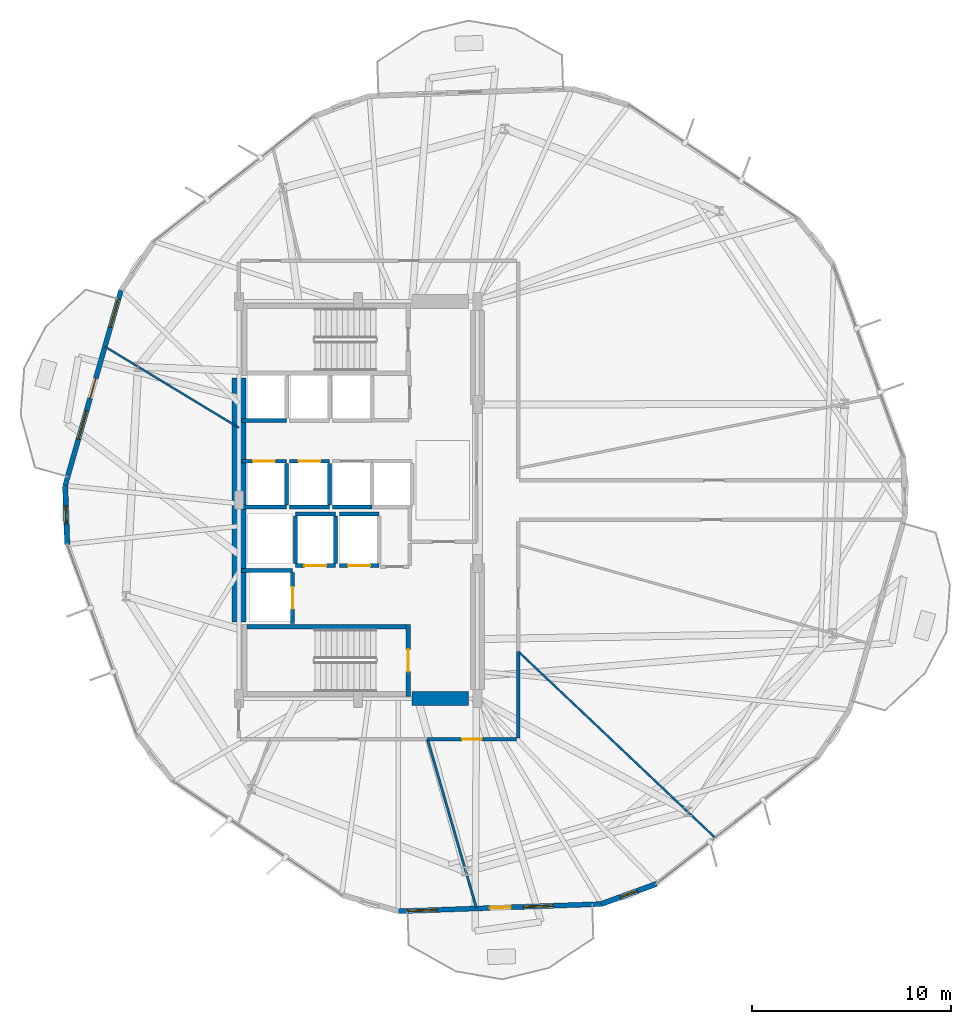
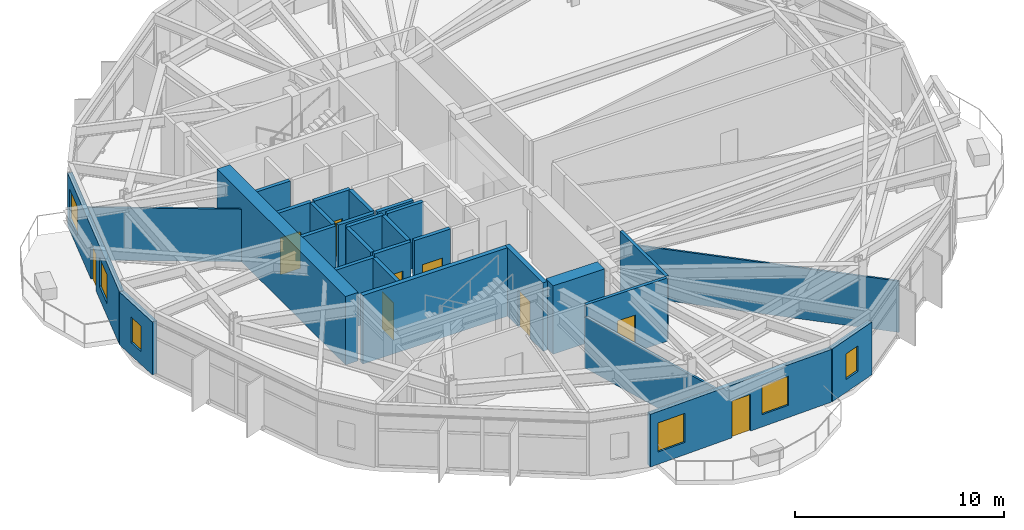
# One storey, part 16 of 21: 29 walls, 9 doors, 6 windows, 15 openings.
"""IFC4 building model written with IfcOpenShell, lengths in metres."""

from ifc_helpers import new_model, si_unit, direction, frame, frame_2d, origin, place, context, subcontext, project, spatial, rectangle, extrude, material, layer, layer_set, type_object, element, fill, save


model = new_model("IFC4")

# Units and contexts
model_context = context("Model", 3, precision=1e-05, world=origin(), true_north=direction((0.0, 1.0)))
body_context = subcontext(model_context, "Body", "Model", "MODEL_VIEW")
ifc_project = project(units=[si_unit("LENGTHUNIT", "METRE"), si_unit("AREAUNIT", "SQUARE_METRE"), si_unit("VOLUMEUNIT", "CUBIC_METRE"), si_unit("PLANEANGLEUNIT", "RADIAN"), si_unit("MASSUNIT", "GRAM", prefix="KILO")], contexts=[model_context])

# Site, building, storey
site_placement = place(None, origin())
site = spatial("IfcSite", under=ifc_project, at=site_placement, CompositionType="ELEMENT")
building_placement = place(site_placement, origin())
building = spatial("IfcBuilding", under=site, at=building_placement, Name="Soratama Intermodal Tower", CompositionType="ELEMENT")
storey_placement = place(building_placement, frame((0.0, 0.0, 34.60009765625)))
storey = spatial("IfcBuildingStorey", under=building, at=storey_placement, Name="L07", CompositionType="ELEMENT", Elevation=34.60009765625)

# Wall, openings, door, windows
ifc_material_1 = material(Name="Concrete f'c 42 MPa", Category="concrete")
ifc_layer_1 = layer(ifc_material_1, 0.25)
ifc_layer_set_1 = layer_set([ifc_layer_1], Name="Concrete f'c 42 MPa")
wall_type_1 = type_object("IfcWallType", Name="EW-BAL-250", PredefinedType="SOLIDWALL", material=ifc_layer_set_1)
wall_1_placement = place(storey_placement, frame((26.665283203125, 35.56005859375, 0.0), z_axis=(0.0, 0.0, 1.0), x_axis=(-0.274967139431, -0.961453624588, 0.0)))
wall_1 = element("IfcWall", 1, at=wall_1_placement, inside=storey, type_object=wall_type_1, Name="L07 Terrace Wall F05", PredefinedType="SOLIDWALL", context=body_context, shape_type="SweptSolid", body=[
    extrude(rectangle(XDim=10.22314453125, YDim=0.25, at=frame_2d((5.111572265625, 0.0))), origin(), (0.0, 0.0, 1.0), 3.078857421875),
])
opening_1_placement = place(wall_1_placement, frame((4.611572265625, 0.0, 0.0)))
opening_1 = element("IfcOpeningElement", 2, at=opening_1_placement, cuts=wall_1, Name="Opening ED-5", PredefinedType="OPENING", context=body_context, shape_type="SweptSolid", body=[
    extrude(rectangle(XDim=1.050048828125, YDim=2.14990234375, at=frame_2d((0.52490234375, 1.074951171875))), frame((0.0, 0.135009765625, 0.0), z_axis=(0.0, -1.0, 0.0), x_axis=(1.0, 0.0, 0.0)), (0.0, 0.0, 1.0), 0.27001953125),
])
opening_2_placement = place(wall_1_placement, frame((0.43994140625, 0.0, 0.719970703125)))
opening_2 = element("IfcOpeningElement", 3, at=opening_2_placement, cuts=wall_1, Name="Opening WN-1", PredefinedType="OPENING", context=body_context, shape_type="SweptSolid", body=[
    extrude(rectangle(XDim=1.5, YDim=1.699951171875, at=frame_2d((0.75, 0.85009765625))), frame((0.0, 0.135009765625, 0.0), z_axis=(0.0, -1.0, 0.0), x_axis=(1.0, 0.0, 0.0)), (0.0, 0.0, 1.0), 0.27001953125),
])
opening_3_placement = place(wall_1_placement, frame((6.301513671875, 0.0, 0.719970703125)))
opening_3 = element("IfcOpeningElement", 4, at=opening_3_placement, cuts=wall_1, Name="Opening WN-1", PredefinedType="OPENING", context=body_context, shape_type="SweptSolid", body=[
    extrude(rectangle(XDim=1.5, YDim=1.699951171875, at=frame_2d((0.75, 0.85009765625))), frame((0.0, 0.135009765625, 0.0), z_axis=(0.0, -1.0, 0.0), x_axis=(1.0, 0.0, 0.0)), (0.0, 0.0, 1.0), 0.27001953125),
])
ifc_material_2 = material(Name="Double-glazed aluminium door", Category="aluminium")
door_type_1 = type_object("IfcDoorType", Name="DR-BAL-1050", OperationType="NOTDEFINED", PredefinedType="DOOR", material=ifc_material_2)
door_1_placement = place(opening_1_placement, origin())
door_1 = element("IfcDoor", 5, at=door_1_placement, inside=storey, type_object=door_type_1, Name="L07 Balcony Door F05", OperationType="SINGLE_SWING_LEFT", OverallHeight=2.14990234375, OverallWidth=1.050048828125, PredefinedType="DOOR", context=body_context, shape_type="SweptSolid", body=[
    extrude(rectangle(XDim=1.050048828125, YDim=2.14990234375, at=frame_2d((0.52490234375, 1.074951171875))), frame((0.0, 0.02490234375, 0.0), z_axis=(0.0, -1.0, 0.0), x_axis=(1.0, 0.0, 0.0)), (0.0, 0.0, 1.0), 0.050048828125),
])
fill(opening_1, door_1)
ifc_material_3 = material(Name="Double-glazed aluminium window", Category="aluminium")
window_type_1 = type_object("IfcWindowType", Name="WN-FAC-1500", PartitioningType="SINGLE_PANEL", PredefinedType="WINDOW", material=ifc_material_3)
window_1_placement = place(opening_2_placement, origin())
window_1 = element("IfcWindow", 6, at=window_1_placement, inside=storey, type_object=window_type_1, Name="L07 Window A F05", OverallHeight=1.699951171875, OverallWidth=1.5, PartitioningType="SINGLE_PANEL", PredefinedType="WINDOW", context=body_context, shape_type="SweptSolid", body=[
    extrude(rectangle(XDim=1.5, YDim=1.699951171875, at=frame_2d((0.75, 0.85009765625))), frame((0.0, 0.030029296875, 0.0), z_axis=(0.0, -1.0, 0.0), x_axis=(1.0, 0.0, 0.0)), (0.0, 0.0, 1.0), 0.06005859375),
])
fill(opening_2, window_1)
window_2_placement = place(opening_3_placement, origin())
window_2 = element("IfcWindow", 7, at=window_2_placement, inside=storey, type_object=window_type_1, Name="L07 Window B F05", OverallHeight=1.699951171875, OverallWidth=1.5, PartitioningType="SINGLE_PANEL", PredefinedType="WINDOW", context=body_context, shape_type="SweptSolid", body=[
    extrude(rectangle(XDim=1.5, YDim=1.699951171875, at=frame_2d((0.75, 0.85009765625))), frame((0.0, 0.030029296875, 0.0), z_axis=(0.0, -1.0, 0.0), x_axis=(1.0, 0.0, 0.0)), (0.0, 0.0, 1.0), 0.06005859375),
])
fill(opening_3, window_2)

wall_2_placement = place(storey_placement, frame((40.62255859375, 4.299560546875, 0.0), z_axis=(0.0, 0.0, 1.0), x_axis=(0.999366712114, 0.035583348891, 0.0)))
wall_2 = element("IfcWall", 8, at=wall_2_placement, inside=storey, type_object=wall_type_1, Name="L07 Terrace Wall F08", PredefinedType="SOLIDWALL", context=body_context, shape_type="SweptSolid", body=[
    extrude(rectangle(XDim=10.22314453125, YDim=0.25, at=frame_2d((5.111572265625, 0.0))), origin(), (0.0, 0.0, 1.0), 3.078857421875),
])
opening_4_placement = place(wall_2_placement, frame((4.611572265625, 0.0, 0.0)))
opening_4 = element("IfcOpeningElement", 9, at=opening_4_placement, cuts=wall_2, Name="Opening ED-5", PredefinedType="OPENING", context=body_context, shape_type="SweptSolid", body=[
    extrude(rectangle(XDim=1.050048828125, YDim=2.14990234375, at=frame_2d((0.52490234375, 1.074951171875))), frame((0.0, 0.135009765625, 0.0), z_axis=(0.0, -1.0, 0.0), x_axis=(1.0, 0.0, 0.0)), (0.0, 0.0, 1.0), 0.27001953125),
])
opening_5_placement = place(wall_2_placement, frame((0.43994140625, 0.0, 0.719970703125)))
opening_5 = element("IfcOpeningElement", 10, at=opening_5_placement, cuts=wall_2, Name="Opening WN-1", PredefinedType="OPENING", context=body_context, shape_type="SweptSolid", body=[
    extrude(rectangle(XDim=1.5, YDim=1.699951171875, at=frame_2d((0.75, 0.85009765625))), frame((0.0, 0.135009765625, 0.0), z_axis=(0.0, -1.0, 0.0), x_axis=(1.0, 0.0, 0.0)), (0.0, 0.0, 1.0), 0.27001953125),
])
opening_6_placement = place(wall_2_placement, frame((6.301513671875, 0.0, 0.719970703125)))
opening_6 = element("IfcOpeningElement", 11, at=opening_6_placement, cuts=wall_2, Name="Opening WN-1", PredefinedType="OPENING", context=body_context, shape_type="SweptSolid", body=[
    extrude(rectangle(XDim=1.5, YDim=1.699951171875, at=frame_2d((0.75, 0.85009765625))), frame((0.0, 0.135009765625, 0.0), z_axis=(0.0, -1.0, 0.0), x_axis=(1.0, 0.0, 0.0)), (0.0, 0.0, 1.0), 0.27001953125),
])
door_2_placement = place(opening_4_placement, origin())
door_2 = element("IfcDoor", 12, at=door_2_placement, inside=storey, type_object=door_type_1, Name="L07 Balcony Door F08", OperationType="SINGLE_SWING_RIGHT", OverallHeight=2.14990234375, OverallWidth=1.050048828125, PredefinedType="DOOR", context=body_context, shape_type="SweptSolid", body=[
    extrude(rectangle(XDim=1.050048828125, YDim=2.14990234375, at=frame_2d((0.52490234375, 1.074951171875))), frame((0.0, 0.02490234375, 0.0), z_axis=(0.0, -1.0, 0.0), x_axis=(1.0, 0.0, 0.0)), (0.0, 0.0, 1.0), 0.050048828125),
])
fill(opening_4, door_2)
window_3_placement = place(opening_5_placement, origin())
window_3 = element("IfcWindow", 13, at=window_3_placement, inside=storey, type_object=window_type_1, Name="L07 Window A F08", OverallHeight=1.699951171875, OverallWidth=1.5, PartitioningType="SINGLE_PANEL", PredefinedType="WINDOW", context=body_context, shape_type="SweptSolid", body=[
    extrude(rectangle(XDim=1.5, YDim=1.699951171875, at=frame_2d((0.75, 0.85009765625))), frame((0.0, 0.030029296875, 0.0), z_axis=(0.0, -1.0, 0.0), x_axis=(1.0, 0.0, 0.0)), (0.0, 0.0, 1.0), 0.06005859375),
])
fill(opening_5, window_3)
window_4_placement = place(opening_6_placement, origin())
window_4 = element("IfcWindow", 14, at=window_4_placement, inside=storey, type_object=window_type_1, Name="L07 Window B F08", OverallHeight=1.699951171875, OverallWidth=1.5, PartitioningType="SINGLE_PANEL", PredefinedType="WINDOW", context=body_context, shape_type="SweptSolid", body=[
    extrude(rectangle(XDim=1.5, YDim=1.699951171875, at=frame_2d((0.75, 0.85009765625))), frame((0.0, 0.030029296875, 0.0), z_axis=(0.0, -1.0, 0.0), x_axis=(1.0, 0.0, 0.0)), (0.0, 0.0, 1.0), 0.06005859375),
])
fill(opening_6, window_4)

# Wall, opening, window
ifc_material_4 = material(Name="Concrete f'c 42 MPa", Category="concrete")
ifc_layer_2 = layer(ifc_material_4, 0.27001953125)
ifc_layer_set_2 = layer_set([ifc_layer_2], Name="Concrete f'c 42 MPa")
wall_type_2 = type_object("IfcWallType", Name="EW-CRN-270", PredefinedType="SOLIDWALL", material=ifc_layer_set_2)
wall_3_placement = place(storey_placement, frame((23.854248046875, 25.73095703125, 0.0), z_axis=(0.0, 0.0, 1.0), x_axis=(0.035635755397, -0.999364844758, 0.0)))
wall_3 = element("IfcWall", 15, at=wall_3_placement, inside=storey, type_object=wall_type_2, Name="L07 Corner Closure Wall 05", PredefinedType="SOLIDWALL", context=body_context, shape_type="SweptSolid", body=[
    extrude(rectangle(XDim=2.966552734375, YDim=0.27001953125, at=frame_2d((1.4833984375, 0.0))), origin(), (0.0, 0.0, 1.0), 3.078857421875),
])
opening_7_placement = place(wall_3_placement, frame((1.033203125, 0.0, 0.75)))
opening_7 = element("IfcOpeningElement", 16, at=opening_7_placement, cuts=wall_3, Name="Opening WN-6", PredefinedType="OPENING", context=body_context, shape_type="SweptSolid", body=[
    extrude(rectangle(XDim=0.89990234375, YDim=1.5, at=frame_2d((0.449951171875, 0.75))), frame((0.0, 0.14501953125, 0.0), z_axis=(0.0, -1.0, 0.0), x_axis=(1.0, 0.0, 0.0)), (0.0, 0.0, 1.0), 0.2900390625),
])
ifc_material_5 = material(Name="Double-glazed aluminium window", Category="aluminium")
window_type_2 = type_object("IfcWindowType", Name="WN-FAC-900", PartitioningType="SINGLE_PANEL", PredefinedType="WINDOW", material=ifc_material_5)
window_5_placement = place(opening_7_placement, origin())
window_5 = element("IfcWindow", 17, at=window_5_placement, inside=storey, type_object=window_type_2, Name="L07 Corner Window 05", OverallHeight=1.5, OverallWidth=0.89990234375, PartitioningType="SINGLE_PANEL", PredefinedType="WINDOW", context=body_context, shape_type="SweptSolid", body=[
    extrude(rectangle(XDim=0.89990234375, YDim=1.5, at=frame_2d((0.449951171875, 0.75))), frame((0.0, 0.030029296875, 0.0), z_axis=(0.0, -1.0, 0.0), x_axis=(1.0, 0.0, 0.0)), (0.0, 0.0, 1.0), 0.06005859375),
])
fill(opening_7, window_5)

wall_4_placement = place(storey_placement, frame((50.839111328125, 4.663330078125, 0.0), z_axis=(0.0, 0.0, 1.0), x_axis=(0.939456588186, 0.342667942642, 0.0)))
wall_4 = element("IfcWall", 18, at=wall_4_placement, inside=storey, type_object=wall_type_2, Name="L07 Corner Closure Wall 08", PredefinedType="SOLIDWALL", context=body_context, shape_type="SweptSolid", body=[
    extrude(rectangle(XDim=2.966796875, YDim=0.27001953125, at=frame_2d((1.4833984375, 0.0))), origin(), (0.0, 0.0, 1.0), 3.078857421875),
])
opening_8_placement = place(wall_4_placement, frame((1.033203125, 0.0, 0.75)))
opening_8 = element("IfcOpeningElement", 19, at=opening_8_placement, cuts=wall_4, Name="Opening WN-6", PredefinedType="OPENING", context=body_context, shape_type="SweptSolid", body=[
    extrude(rectangle(XDim=0.89990234375, YDim=1.5, at=frame_2d((0.449951171875, 0.75))), frame((0.0, 0.14501953125, 0.0), z_axis=(0.0, -1.0, 0.0), x_axis=(1.0, 0.0, 0.0)), (0.0, 0.0, 1.0), 0.2900390625),
])
window_6_placement = place(opening_8_placement, origin())
window_6 = element("IfcWindow", 20, at=window_6_placement, inside=storey, type_object=window_type_2, Name="L07 Corner Window 08", OverallHeight=1.5, OverallWidth=0.89990234375, PartitioningType="SINGLE_PANEL", PredefinedType="WINDOW", context=body_context, shape_type="SweptSolid", body=[
    extrude(rectangle(XDim=0.89990234375, YDim=1.5, at=frame_2d((0.449951171875, 0.75))), frame((0.0, 0.030029296875, 0.0), z_axis=(0.0, -1.0, 0.0), x_axis=(1.0, 0.0, 0.0)), (0.0, 0.0, 1.0), 0.06005859375),
])
fill(opening_8, window_6)

# Wall, opening, door
ifc_material_6 = material(Name="Fire-rated gypsum stud partition", Category="concrete")
ifc_layer_3 = layer(ifc_material_6, 0.169921875)
ifc_layer_set_3 = layer_set([ifc_layer_3], Name="Fire-rated gypsum stud partition")
wall_type_3 = type_object("IfcWallType", Name="IW-PART-R170", PredefinedType="PARTITIONING", material=ifc_layer_set_3)
wall_5_placement = place(storey_placement, frame((46.580078125, 12.949951171875, 0.0), z_axis=(0.0, 0.0, 1.0), x_axis=(-1.0, 0.0, 0.0)))
wall_5 = element("IfcWall", 21, at=wall_5_placement, inside=storey, type_object=wall_type_3, Name="L07 Partition W-L07-TP015", PredefinedType="PARTITIONING", context=body_context, shape_type="SweptSolid", body=[
    extrude(rectangle(XDim=4.486083984375, YDim=0.169921875, at=frame_2d((2.2431640625, 0.0))), origin(), (0.0, 0.0, 1.0), 3.699951171875),
])
opening_9_placement = place(wall_5_placement, frame((1.76806640625, 0.0, 0.0)))
opening_9 = element("IfcOpeningElement", 22, at=opening_9_placement, cuts=wall_5, Name="Opening ID-5", PredefinedType="OPENING", context=body_context, shape_type="SweptSolid", body=[
    extrude(rectangle(XDim=0.97998046875, YDim=2.14990234375, at=frame_2d((0.489990234375, 1.074951171875))), frame((0.0, 0.094970703125, 0.0), z_axis=(0.0, -1.0, 0.0), x_axis=(1.0, 0.0, 0.0)), (0.0, 0.0, 1.0), 0.18994140625),
])
ifc_material_7 = material(Name="Solid hardwood acoustic door", Category="wood")
door_type_2 = type_object("IfcDoorType", Name="DR-OFF-980", OperationType="NOTDEFINED", PredefinedType="DOOR", material=ifc_material_7)
door_3_placement = place(opening_9_placement, origin())
door_3 = element("IfcDoor", 23, at=door_3_placement, inside=storey, type_object=door_type_2, Name="L07 Door D-L07-TP007", OperationType="SINGLE_SWING_RIGHT", OverallHeight=2.14990234375, OverallWidth=0.97998046875, PredefinedType="DOOR", context=body_context, shape_type="SweptSolid", body=[
    extrude(rectangle(XDim=0.97998046875, YDim=2.14990234375, at=frame_2d((0.489990234375, 1.074951171875))), frame((0.0, 0.02490234375, 0.0), z_axis=(0.0, -1.0, 0.0), x_axis=(1.0, 0.0, 0.0)), (0.0, 0.0, 1.0), 0.050048828125),
])
fill(opening_9, door_3)

# Walls
wall_6_placement = place(storey_placement, frame((46.64990234375, 17.385009765625, 0.0), z_axis=(0.0, 0.0, 1.0), x_axis=(0.0, -1.0, 0.0)))
element("IfcWall", 24, at=wall_6_placement, inside=storey, type_object=wall_type_3, Name="L07 Partition W-L07-TP016", PredefinedType="PARTITIONING", context=body_context, shape_type="SweptSolid", body=[
    extrude(rectangle(XDim=4.364990234375, YDim=0.169921875, at=frame_2d((2.1826171875, 0.0))), origin(), (0.0, 0.0, 1.0), 3.699951171875),
])
ifc_material_8 = material(Name="Fire-rated gypsum stud partition", Category="concrete")
ifc_layer_4 = layer(ifc_material_8, 0.10009765625)
ifc_layer_set_4 = layer_set([ifc_layer_4], Name="Fire-rated gypsum stud partition")
wall_type_4 = type_object("IfcWallType", Name="IW-PART-S100", PredefinedType="PARTITIONING", material=ifc_layer_set_4)
wall_7_placement = place(storey_placement, frame((46.64990234375, 17.385009765625, 0.0), z_axis=(0.0, 0.0, 1.0), x_axis=(0.726445282298, -0.687224309688, 0.0)))
element("IfcWall", 25, at=wall_7_placement, inside=storey, type_object=wall_type_4, Name="L07 Partition W-L07-TP005", PredefinedType="PARTITIONING", context=body_context, shape_type="SweptSolid", body=[
    extrude(rectangle(XDim=13.66943359375, YDim=0.10009765625, at=frame_2d((6.834716796875, 0.0))), origin(), (0.0, 0.0, 1.0), 2.994873046875),
])
wall_8_placement = place(storey_placement, frame((32.60009765625, 28.634033203125, 0.0), z_axis=(0.0, 0.0, 1.0), x_axis=(-0.855377378264, 0.518005348191, 0.0)))
element("IfcWall", 26, at=wall_8_placement, inside=storey, type_object=wall_type_4, Name="L07 Partition W-L07-TP010", PredefinedType="PARTITIONING", context=body_context, shape_type="SweptSolid", body=[
    extrude(rectangle(XDim=7.887939453125, YDim=0.10009765625, at=frame_2d((3.94384765625, 0.0))), origin(), (0.0, 0.0, 1.0), 3.073974609375),
])
ifc_material_9 = material(Name="Fire-rated gypsum stud partition", Category="concrete")
ifc_layer_5 = layer(ifc_material_9, 0.1201171875)
ifc_layer_set_5 = layer_set([ifc_layer_5], Name="Fire-rated gypsum stud partition")
wall_type_5 = type_object("IfcWallType", Name="IW-PART-S120", PredefinedType="PARTITIONING", material=ifc_layer_set_5)
wall_9_placement = place(storey_placement, frame((42.093994140625, 12.949951171875, 0.0), z_axis=(0.0, 0.0, 1.0), x_axis=(0.278434728373, -0.960455153579, 0.0)))
element("IfcWall", 27, at=wall_9_placement, inside=storey, type_object=wall_type_5, Name="L07 Partition W-L07-TP008", PredefinedType="PARTITIONING", context=body_context, shape_type="SweptSolid", body=[
    extrude(rectangle(XDim=8.8603515625, YDim=0.1201171875, at=frame_2d((4.43017578125, 0.0))), origin(), (0.0, 0.0, 1.0), 2.994873046875),
])

# Wall, opening, door
ifc_material_10 = material(Name="Concrete f'c 42 MPa", Category="concrete")
ifc_layer_6 = layer(ifc_material_10, 0.199951171875)
ifc_layer_set_6 = layer_set([ifc_layer_6], Name="Concrete f'c 42 MPa")
wall_type_6 = type_object("IfcWallType", Name="IW-SHAFT-200", PredefinedType="SOLIDWALL", material=ifc_layer_set_6)
wall_10_placement = place(storey_placement, frame((35.449951171875, 21.699951171875, 0.0), z_axis=(0.0, 0.0, 1.0), x_axis=(1.0, 0.0, 0.0)))
wall_10 = element("IfcWall", 28, at=wall_10_placement, inside=storey, type_object=wall_type_6, Name="L07 FFL-1 Hoistway Wall S", PredefinedType="SOLIDWALL", context=body_context, shape_type="SweptSolid", body=[
    extrude(rectangle(XDim=2.0, YDim=0.199951171875, at=frame_2d((1.0, 0.0))), origin(), (0.0, 0.0, 1.0), 3.699951171875),
])
opening_10_placement = place(wall_10_placement, frame((0.449951171875, 0.0, 0.0)))
opening_10 = element("IfcOpeningElement", 29, at=opening_10_placement, cuts=wall_10, Name="Opening LD-1", PredefinedType="OPENING", context=body_context, shape_type="SweptSolid", body=[
    extrude(rectangle(XDim=1.10009765625, YDim=2.14990234375, at=frame_2d((0.550048828125, 1.074951171875))), frame((0.0, 0.10986328125, 0.0), z_axis=(0.0, -1.0, 0.0), x_axis=(1.0, 0.0, 0.0)), (0.0, 0.0, 1.0), 0.219970703125),
])
ifc_material_11 = material(Name="Steel fire door", Category="steel")
door_type_3 = type_object("IfcDoorType", Name="DR-LIFT-SLIDE", OperationType="NOTDEFINED", PredefinedType="DOOR", material=ifc_material_11)
door_4_placement = place(opening_10_placement, origin())
door_4 = element("IfcDoor", 30, at=door_4_placement, inside=storey, type_object=door_type_3, Name="L07 FFL-1 Sliding Landing Door", OperationType="SLIDING_TO_LEFT", OverallHeight=2.14990234375, OverallWidth=1.10009765625, PredefinedType="DOOR", context=body_context, shape_type="SweptSolid", body=[
    extrude(rectangle(XDim=1.10009765625, YDim=2.14990234375, at=frame_2d((0.550048828125, 1.074951171875))), frame((0.0, 0.02490234375, 0.0), z_axis=(0.0, -1.0, 0.0), x_axis=(1.0, 0.0, 0.0)), (0.0, 0.0, 1.0), 0.050048828125),
])
fill(opening_10, door_4)

# Walls
wall_11_placement = place(storey_placement, frame((35.449951171875, 24.300048828125, 0.0), z_axis=(0.0, 0.0, 1.0), x_axis=(1.0, 0.0, 0.0)))
element("IfcWall", 31, at=wall_11_placement, inside=storey, type_object=wall_type_6, Name="L07 FFL-1 Hoistway Wall N", PredefinedType="SOLIDWALL", context=body_context, shape_type="SweptSolid", body=[
    extrude(rectangle(XDim=2.0, YDim=0.199951171875, at=frame_2d((1.0, 0.0))), origin(), (0.0, 0.0, 1.0), 3.699951171875),
])
for number, where, z_axis, x_axis, name in (
    (32, (35.449951171875, 21.81005859375, 0.0), (0.0, 0.0, 1.0), (0.0, 1.0, 0.0), "L07 FFL-1 Hoistway Wall W"),
    (33, (37.449951171875, 21.81005859375, 0.0), (0.0, 0.0, 1.0), (0.0, 1.0, 0.0), "L07 FFL-1 Hoistway Wall E"),
):
    element("IfcWall", number, at=place(storey_placement, frame(where, z_axis=z_axis, x_axis=x_axis)), inside=storey, type_object=wall_type_6, Name=name, PredefinedType="SOLIDWALL", context=body_context, shape_type="SweptSolid", body=[
        extrude(rectangle(XDim=2.3798828125, YDim=0.199951171875, at=frame_2d((1.18994140625, 0.0))), origin(), (0.0, 0.0, 1.0), 3.699951171875),
    ])

# Wall, opening, door
wall_12_placement = place(storey_placement, frame((37.64990234375, 21.699951171875, 0.0), z_axis=(0.0, 0.0, 1.0), x_axis=(1.0, 0.0, 0.0)))
wall_12 = element("IfcWall", 34, at=wall_12_placement, inside=storey, type_object=wall_type_6, Name="L07 FFL-2 Hoistway Wall S", PredefinedType="SOLIDWALL", context=body_context, shape_type="SweptSolid", body=[
    extrude(rectangle(XDim=2.0, YDim=0.199951171875, at=frame_2d((1.0, 0.0))), origin(), (0.0, 0.0, 1.0), 3.699951171875),
])
opening_11_placement = place(wall_12_placement, frame((0.449951171875, 0.0, 0.0)))
opening_11 = element("IfcOpeningElement", 35, at=opening_11_placement, cuts=wall_12, Name="Opening LD-1", PredefinedType="OPENING", context=body_context, shape_type="SweptSolid", body=[
    extrude(rectangle(XDim=1.10009765625, YDim=2.14990234375, at=frame_2d((0.550048828125, 1.074951171875))), frame((0.0, 0.10986328125, 0.0), z_axis=(0.0, -1.0, 0.0), x_axis=(1.0, 0.0, 0.0)), (0.0, 0.0, 1.0), 0.219970703125),
])
door_5_placement = place(opening_11_placement, origin())
door_5 = element("IfcDoor", 36, at=door_5_placement, inside=storey, type_object=door_type_3, Name="L07 FFL-2 Sliding Landing Door", OperationType="SLIDING_TO_LEFT", OverallHeight=2.14990234375, OverallWidth=1.10009765625, PredefinedType="DOOR", context=body_context, shape_type="SweptSolid", body=[
    extrude(rectangle(XDim=1.10009765625, YDim=2.14990234375, at=frame_2d((0.550048828125, 1.074951171875))), frame((0.0, 0.02490234375, 0.0), z_axis=(0.0, -1.0, 0.0), x_axis=(1.0, 0.0, 0.0)), (0.0, 0.0, 1.0), 0.050048828125),
])
fill(opening_11, door_5)

# Walls
wall_13_placement = place(storey_placement, frame((37.64990234375, 24.300048828125, 0.0), z_axis=(0.0, 0.0, 1.0), x_axis=(1.0, 0.0, 0.0)))
element("IfcWall", 37, at=wall_13_placement, inside=storey, type_object=wall_type_6, Name="L07 FFL-2 Hoistway Wall N", PredefinedType="SOLIDWALL", context=body_context, shape_type="SweptSolid", body=[
    extrude(rectangle(XDim=2.0, YDim=0.199951171875, at=frame_2d((1.0, 0.0))), origin(), (0.0, 0.0, 1.0), 3.699951171875),
])
wall_14_placement = place(storey_placement, frame((32.719970703125, 21.449951171875, 0.0), z_axis=(0.0, 0.0, 1.0), x_axis=(1.0, 0.0, 0.0)))
element("IfcWall", 38, at=wall_14_placement, inside=storey, type_object=wall_type_6, Name="L07 SVL-1 Hoistway Wall N", PredefinedType="SOLIDWALL", context=body_context, shape_type="SweptSolid", body=[
    extrude(rectangle(XDim=2.580078125, YDim=0.199951171875, at=frame_2d((1.2900390625, 0.0))), origin(), (0.0, 0.0, 1.0), 3.699951171875),
])

# Wall, opening, door
wall_15_placement = place(storey_placement, frame((35.300048828125, 18.7900390625, 0.0), z_axis=(0.0, 0.0, 1.0), x_axis=(0.0, 1.0, 0.0)))
wall_15 = element("IfcWall", 39, at=wall_15_placement, inside=storey, type_object=wall_type_6, Name="L07 SVL-1 Hoistway Wall E", PredefinedType="SOLIDWALL", context=body_context, shape_type="SweptSolid", body=[
    extrude(rectangle(XDim=2.550048828125, YDim=0.199951171875, at=frame_2d((1.27490234375, 0.0))), origin(), (0.0, 0.0, 1.0), 3.699951171875),
])
opening_12_placement = place(wall_15_placement, frame((0.72509765625, 0.0, 0.0)))
opening_12 = element("IfcOpeningElement", 40, at=opening_12_placement, cuts=wall_15, Name="Opening LD-1", PredefinedType="OPENING", context=body_context, shape_type="SweptSolid", body=[
    extrude(rectangle(XDim=1.10009765625, YDim=2.14990234375, at=frame_2d((0.550048828125, 1.074951171875))), frame((0.0, 0.10986328125, 0.0), z_axis=(0.0, -1.0, 0.0), x_axis=(1.0, 0.0, 0.0)), (0.0, 0.0, 1.0), 0.219970703125),
])
door_6_placement = place(opening_12_placement, origin())
door_6 = element("IfcDoor", 41, at=door_6_placement, inside=storey, type_object=door_type_3, Name="L07 SVL-1 Sliding Landing Door", OperationType="SLIDING_TO_LEFT", OverallHeight=2.14990234375, OverallWidth=1.10009765625, PredefinedType="DOOR", context=body_context, shape_type="SweptSolid", body=[
    extrude(rectangle(XDim=1.10009765625, YDim=2.14990234375, at=frame_2d((0.550048828125, 1.074951171875))), frame((0.0, 0.02490234375, 0.0), z_axis=(0.0, -1.0, 0.0), x_axis=(1.0, 0.0, 0.0)), (0.0, 0.0, 1.0), 0.050048828125),
])
fill(opening_12, door_6)

# Wall
wall_16_placement = place(storey_placement, frame((32.719970703125, 24.64990234375, 0.0), z_axis=(0.0, 0.0, 1.0), x_axis=(1.0, 0.0, 0.0)))
element("IfcWall", 42, at=wall_16_placement, inside=storey, type_object=wall_type_6, Name="L07 PL-L1 Hoistway Wall S", PredefinedType="SOLIDWALL", context=body_context, shape_type="SweptSolid", body=[
    extrude(rectangle(XDim=2.280029296875, YDim=0.199951171875, at=frame_2d((1.14013671875, 0.0))), origin(), (0.0, 0.0, 1.0), 3.699951171875),
])

# Wall, opening, door
wall_17_placement = place(storey_placement, frame((32.719970703125, 26.949951171875, 0.0), z_axis=(0.0, 0.0, 1.0), x_axis=(1.0, 0.0, 0.0)))
wall_17 = element("IfcWall", 43, at=wall_17_placement, inside=storey, type_object=wall_type_6, Name="L07 PL-L1 Hoistway Wall N", PredefinedType="SOLIDWALL", context=body_context, shape_type="SweptSolid", body=[
    extrude(rectangle(XDim=2.280029296875, YDim=0.199951171875, at=frame_2d((1.14013671875, 0.0))), origin(), (0.0, 0.0, 1.0), 3.699951171875),
])
opening_13_placement = place(wall_17_placement, frame((0.590087890625, 0.0, 0.0)))
opening_13 = element("IfcOpeningElement", 44, at=opening_13_placement, cuts=wall_17, Name="Opening LD-1", PredefinedType="OPENING", context=body_context, shape_type="SweptSolid", body=[
    extrude(rectangle(XDim=1.10009765625, YDim=2.14990234375, at=frame_2d((0.550048828125, 1.074951171875))), frame((0.0, 0.10986328125, 0.0), z_axis=(0.0, -1.0, 0.0), x_axis=(1.0, 0.0, 0.0)), (0.0, 0.0, 1.0), 0.219970703125),
])
door_7_placement = place(opening_13_placement, origin())
door_7 = element("IfcDoor", 45, at=door_7_placement, inside=storey, type_object=door_type_3, Name="L07 PL-L1 Sliding Landing Door", OperationType="SLIDING_TO_LEFT", OverallHeight=2.14990234375, OverallWidth=1.10009765625, PredefinedType="DOOR", context=body_context, shape_type="SweptSolid", body=[
    extrude(rectangle(XDim=1.10009765625, YDim=2.14990234375, at=frame_2d((0.550048828125, 1.074951171875))), frame((0.0, 0.02490234375, 0.0), z_axis=(0.0, -1.0, 0.0), x_axis=(1.0, 0.0, 0.0)), (0.0, 0.0, 1.0), 0.050048828125),
])
fill(opening_13, door_7)

# Walls
wall_18_placement = place(storey_placement, frame((35.0, 24.760009765625, 0.0), z_axis=(0.0, 0.0, 1.0), x_axis=(0.0, 1.0, 0.0)))
element("IfcWall", 46, at=wall_18_placement, inside=storey, type_object=wall_type_6, Name="L07 PL-L1 Hoistway Wall E", PredefinedType="SOLIDWALL", context=body_context, shape_type="SweptSolid", body=[
    extrude(rectangle(XDim=2.080078125, YDim=0.199951171875, at=frame_2d((1.0400390625, 0.0))), origin(), (0.0, 0.0, 1.0), 3.699951171875),
])
wall_19_placement = place(storey_placement, frame((35.14990234375, 24.64990234375, 0.0), z_axis=(0.0, 0.0, 1.0), x_axis=(1.0, 0.0, 0.0)))
element("IfcWall", 47, at=wall_19_placement, inside=storey, type_object=wall_type_6, Name="L07 PL-L2 Hoistway Wall S", PredefinedType="SOLIDWALL", context=body_context, shape_type="SweptSolid", body=[
    extrude(rectangle(XDim=2.0, YDim=0.199951171875, at=frame_2d((1.0, 0.0))), origin(), (0.0, 0.0, 1.0), 3.699951171875),
])

# Wall, opening, door
wall_20_placement = place(storey_placement, frame((35.14990234375, 26.949951171875, 0.0), z_axis=(0.0, 0.0, 1.0), x_axis=(1.0, 0.0, 0.0)))
wall_20 = element("IfcWall", 48, at=wall_20_placement, inside=storey, type_object=wall_type_6, Name="L07 PL-L2 Hoistway Wall N", PredefinedType="SOLIDWALL", context=body_context, shape_type="SweptSolid", body=[
    extrude(rectangle(XDim=2.0, YDim=0.199951171875, at=frame_2d((1.0, 0.0))), origin(), (0.0, 0.0, 1.0), 3.699951171875),
])
opening_14_placement = place(wall_20_placement, frame((0.449951171875, 0.0, 0.0)))
opening_14 = element("IfcOpeningElement", 49, at=opening_14_placement, cuts=wall_20, Name="Opening LD-1", PredefinedType="OPENING", context=body_context, shape_type="SweptSolid", body=[
    extrude(rectangle(XDim=1.10009765625, YDim=2.14990234375, at=frame_2d((0.550048828125, 1.074951171875))), frame((0.0, 0.10986328125, 0.0), z_axis=(0.0, -1.0, 0.0), x_axis=(1.0, 0.0, 0.0)), (0.0, 0.0, 1.0), 0.219970703125),
])
door_8_placement = place(opening_14_placement, origin())
door_8 = element("IfcDoor", 50, at=door_8_placement, inside=storey, type_object=door_type_3, Name="L07 PL-L2 Sliding Landing Door", OperationType="SLIDING_TO_LEFT", OverallHeight=2.14990234375, OverallWidth=1.10009765625, PredefinedType="DOOR", context=body_context, shape_type="SweptSolid", body=[
    extrude(rectangle(XDim=1.10009765625, YDim=2.14990234375, at=frame_2d((0.550048828125, 1.074951171875))), frame((0.0, 0.02490234375, 0.0), z_axis=(0.0, -1.0, 0.0), x_axis=(1.0, 0.0, 0.0)), (0.0, 0.0, 1.0), 0.050048828125),
])
fill(opening_14, door_8)

# Walls
wall_21_placement = place(storey_placement, frame((37.14990234375, 24.760009765625, 0.0), z_axis=(0.0, 0.0, 1.0), x_axis=(0.0, 1.0, 0.0)))
element("IfcWall", 51, at=wall_21_placement, inside=storey, type_object=wall_type_6, Name="L07 PL-L2 Hoistway Wall E", PredefinedType="SOLIDWALL", context=body_context, shape_type="SweptSolid", body=[
    extrude(rectangle(XDim=2.080078125, YDim=0.199951171875, at=frame_2d((1.0400390625, 0.0))), origin(), (0.0, 0.0, 1.0), 3.699951171875),
])
wall_22_placement = place(storey_placement, frame((37.300048828125, 24.64990234375, 0.0), z_axis=(0.0, 0.0, 1.0), x_axis=(1.0, 0.0, 0.0)))
element("IfcWall", 52, at=wall_22_placement, inside=storey, type_object=wall_type_6, Name="L07 PL-L3 Hoistway Wall S", PredefinedType="SOLIDWALL", context=body_context, shape_type="SweptSolid", body=[
    extrude(rectangle(XDim=2.0, YDim=0.199951171875, at=frame_2d((1.0, 0.0))), origin(), (0.0, 0.0, 1.0), 3.699951171875),
])
wall_23_placement = place(storey_placement, frame((32.719970703125, 29.0, 0.0), z_axis=(0.0, 0.0, 1.0), x_axis=(1.0, 0.0, 0.0)))
element("IfcWall", 53, at=wall_23_placement, inside=storey, type_object=wall_type_6, Name="L07 PL-M2 Hoistway Wall S", PredefinedType="SOLIDWALL", context=body_context, shape_type="SweptSolid", body=[
    extrude(rectangle(XDim=2.280029296875, YDim=0.199951171875, at=frame_2d((1.14013671875, 0.0))), origin(), (0.0, 0.0, 1.0), 3.699951171875),
])
ifc_material_12 = material(Name="Concrete f'c 56 MPa", Category="concrete")
ifc_layer_7 = layer(ifc_material_12, 0.699951171875)
ifc_layer_set_7 = layer_set([ifc_layer_7], Name="Concrete f'c 56 MPa")
wall_type_7 = type_object("IfcWallType", Name="SW-CORE-700", PredefinedType="SHEAR", material=ifc_layer_set_7)
wall_24_placement = place(storey_placement, frame((32.60009765625, 18.85009765625, 0.0), z_axis=(0.0, 0.0, 1.0), x_axis=(0.0, 1.0, 0.0)))
element("IfcWall", 54, at=wall_24_placement, inside=storey, type_object=wall_type_7, Name="L07 Core Shear Wall CW-WMID", PredefinedType="SHEAR", context=body_context, shape_type="SweptSolid", body=[
    extrude(rectangle(XDim=12.2998046875, YDim=0.699951171875, at=frame_2d((6.14990234375, 0.0))), origin(), (0.0, 0.0, 1.0), 4.0),
])
wall_25_placement = place(storey_placement, frame((41.300048828125, 15.0, 0.0), z_axis=(0.0, 0.0, 1.0), x_axis=(1.0, 0.0, 0.0)))
element("IfcWall", 55, at=wall_25_placement, inside=storey, type_object=wall_type_7, Name="L07 Core Shear Wall CW-SE", PredefinedType="SHEAR", context=body_context, shape_type="SweptSolid", body=[
    extrude(rectangle(XDim=2.849853515625, YDim=0.699951171875, at=frame_2d((1.4248046875, 0.0))), origin(), (0.0, 0.0, 1.0), 4.0),
])

# Wall, opening, door
ifc_material_13 = material(Name="Concrete f'c 56 MPa", Category="concrete")
ifc_layer_8 = layer(ifc_material_13, 0.239990234375)
ifc_layer_set_8 = layer_set([ifc_layer_8], Name="Concrete f'c 56 MPa")
wall_type_8 = type_object("IfcWallType", Name="SW-STAIR-240", PredefinedType="SHEAR", material=ifc_layer_set_8)
wall_26_placement = place(storey_placement, frame((41.1201171875, 15.110107421875, 0.0), z_axis=(0.0, 0.0, 1.0), x_axis=(0.0, 1.0, 0.0)))
wall_26 = element("IfcWall", 56, at=wall_26_placement, inside=storey, type_object=wall_type_8, Name="L07 ST-1 Shaft Shear Wall E", PredefinedType="SHEAR", context=body_context, shape_type="SweptSolid", body=[
    extrude(rectangle(XDim=3.6298828125, YDim=0.239990234375, at=frame_2d((1.81494140625, 0.0))), origin(), (0.0, 0.0, 1.0), 4.0),
])
opening_15_placement = place(wall_26_placement, frame((1.2548828125, 0.0, 0.0)))
opening_15 = element("IfcOpeningElement", 57, at=opening_15_placement, cuts=wall_26, Name="Opening SD-1", PredefinedType="OPENING", context=body_context, shape_type="SweptSolid", body=[
    extrude(rectangle(XDim=1.1201171875, YDim=2.14990234375, at=frame_2d((0.56005859375, 1.074951171875))), frame((0.0, 0.1298828125, 0.0), z_axis=(0.0, -1.0, 0.0), x_axis=(1.0, 0.0, 0.0)), (0.0, 0.0, 1.0), 0.260009765625),
])
ifc_material_14 = material(Name="Steel fire door", Category="steel")
door_type_4 = type_object("IfcDoorType", Name="DR-STAIR-FD90", OperationType="NOTDEFINED", PredefinedType="DOOR", material=ifc_material_14)
door_9_placement = place(opening_15_placement, origin())
door_9 = element("IfcDoor", 58, at=door_9_placement, inside=storey, type_object=door_type_4, Name="L07 ST-1 Exit Stair Door", OperationType="SINGLE_SWING_LEFT", OverallHeight=2.14990234375, OverallWidth=1.1201171875, PredefinedType="DOOR", context=body_context, shape_type="SweptSolid", body=[
    extrude(rectangle(XDim=1.1201171875, YDim=2.14990234375, at=frame_2d((0.56005859375, 1.074951171875))), frame((0.0, 0.02490234375, 0.0), z_axis=(0.0, -1.0, 0.0), x_axis=(1.0, 0.0, 0.0)), (0.0, 0.0, 1.0), 0.050048828125),
])
fill(opening_15, door_9)

# Wall
wall_27_placement = place(storey_placement, frame((33.0, 18.6201171875, 0.0), z_axis=(0.0, 0.0, 1.0), x_axis=(1.0, 0.0, 0.0)))
element("IfcWall", 59, at=wall_27_placement, inside=storey, type_object=wall_type_8, Name="L07 ST-1 Shaft Shear Wall N", PredefinedType="SHEAR", context=body_context, shape_type="SweptSolid", body=[
    extrude(rectangle(XDim=8.0, YDim=0.239990234375, at=frame_2d((4.0, 0.0))), origin(), (0.0, 0.0, 1.0), 4.0),
])

save(model, "model.ifc")
